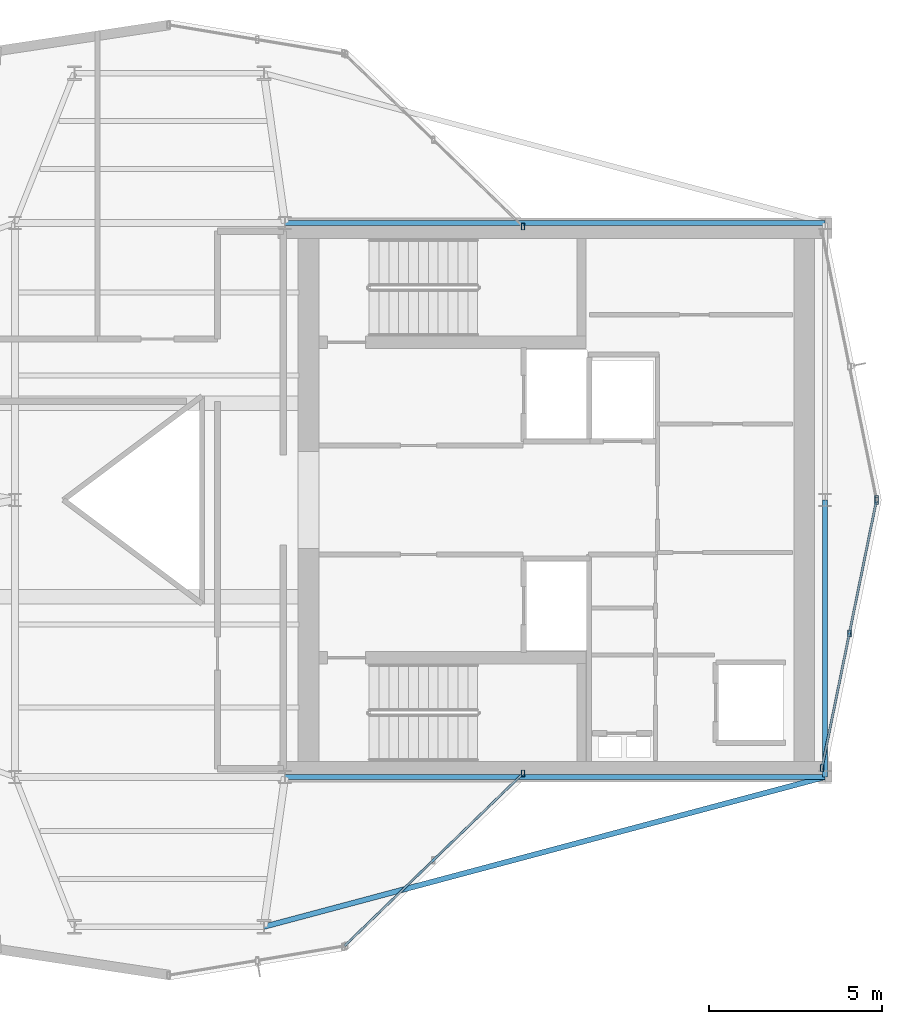
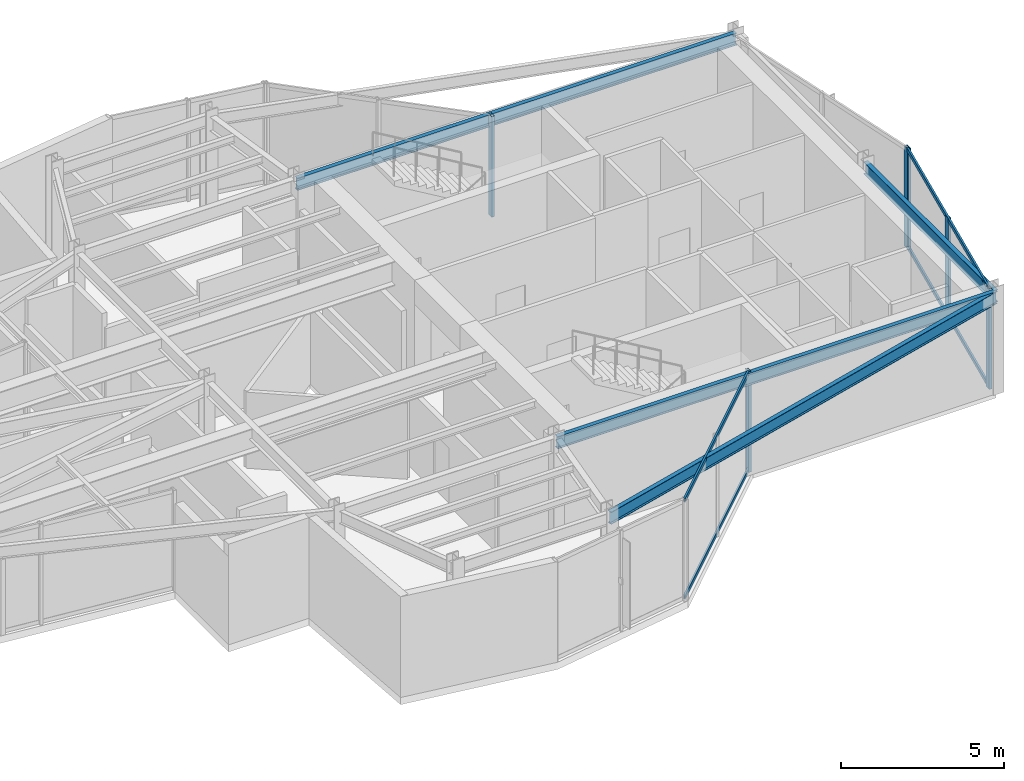
# One storey, part 8 of 16: 10 members, 4 beams, 4 elements without a shape of their own.
"""IFC4 building model written with IfcOpenShell, lengths in metres."""

from ifc_helpers import new_model, si_unit, direction, frame, origin, origin_2d, place, context, subcontext, project, spatial, hollow_rectangle, i_section, extrude, material, layer, layer_set, material_profile, profile_set, type_object, element, aggregate, save


model = new_model("IFC4")

# Units and contexts
model_context = context("Model", 3, precision=1e-05, world=origin(), true_north=direction((0.0, 1.0)))
body_context = subcontext(model_context, "Body", "Model", "MODEL_VIEW")
ifc_project = project(units=[si_unit("LENGTHUNIT", "METRE"), si_unit("AREAUNIT", "SQUARE_METRE"), si_unit("VOLUMEUNIT", "CUBIC_METRE"), si_unit("PLANEANGLEUNIT", "RADIAN"), si_unit("MASSUNIT", "GRAM", prefix="KILO")], contexts=[model_context])

# Site, building, storey
site_placement = place(None, origin())
site = spatial("IfcSite", under=ifc_project, at=site_placement, CompositionType="ELEMENT")
building_placement = place(site_placement, origin())
building = spatial("IfcBuilding", under=site, at=building_placement, Name="Veymaron Broadcast Tower", CompositionType="ELEMENT")
storey_placement = place(building_placement, frame((0.0, 0.0, 315.449951171875)))
storey = spatial("IfcBuildingStorey", under=building, at=storey_placement, Name="L74", CompositionType="ELEMENT", Elevation=315.449951171875)

# Beams
ifc_material_1 = material(Name="Structural steel ASTM A992 Gr 50", Category="steel")
ifc_material_profile_1 = material_profile(ifc_material_1, i_section(OverallWidth=0.154052734375, OverallDepth=0.458984375, WebThickness=0.009033203125, FlangeThickness=0.015380859375, at=origin_2d()), Name="W460X68")
ifc_profile_set_1 = profile_set([ifc_material_profile_1], Name="Structural steel ASTM A992 Gr 50")
beam_type = type_object("IfcBeamType", Name="BM-SP2", PredefinedType="SPANDREL", material=ifc_profile_set_1)
for number, where, z_axis, x_axis, name in (
    (1, (39.0, 16.0, 3.550537109375), (1.0, 0.0, 0.0), (0.0, 1.0, 0.0), "L74 primary structural floor girder"),
    (2, (39.0, 32.0, 3.550537109375), (1.0, 0.0, 0.0), (0.0, 1.0, 0.0), "L74 primary structural floor girder"),
):
    element("IfcBeam", number, at=place(storey_placement, frame(where, z_axis=z_axis, x_axis=x_axis)), inside=storey, type_object=beam_type, Name=name, PredefinedType="SPANDREL", context=body_context, shape_type="SweptSolid", body=[
        extrude(i_section(OverallWidth=0.154052734375, OverallDepth=0.458984375, WebThickness=0.009033203125, FlangeThickness=0.015380859375, at=origin_2d()), origin(), (0.0, 0.0, 1.0), 15.60009765625),
    ])
beam_1_placement = place(storey_placement, frame((54.60009765625, 16.0, 3.550537109375), z_axis=(0.0, 1.0, 0.0), x_axis=(-1.0, 0.0, 0.0)))
element("IfcBeam", 3, at=beam_1_placement, inside=storey, type_object=beam_type, Name="L74 primary structural floor girder", PredefinedType="SPANDREL", context=body_context, shape_type="SweptSolid", body=[
    extrude(i_section(OverallWidth=0.154052734375, OverallDepth=0.458984375, WebThickness=0.009033203125, FlangeThickness=0.015380859375, at=origin_2d()), origin(), (0.0, 0.0, 1.0), 8.0),
])
beam_2_placement = place(storey_placement, frame((54.60009765625, 16.0, 3.550537109375), z_axis=(-0.966166081306, -0.257920730718, 0.0), x_axis=(0.257920730718, -0.966166081306, 0.0)))
element("IfcBeam", 4, at=beam_2_placement, inside=storey, type_object=beam_type, Name="L74 primary structural floor girder", PredefinedType="SPANDREL", context=body_context, shape_type="SweptSolid", body=[
    extrude(i_section(OverallWidth=0.154052734375, OverallDepth=0.458984375, WebThickness=0.009033203125, FlangeThickness=0.015380859375, at=origin_2d()), origin(), (0.0, 0.0, 1.0), 16.77978515625),
])

# Curtain wall, member
ifc_material_2 = material(Name="Anodised aluminium AA 6063-T6 and laminated low-E dark glass", Category="aluminium")
ifc_layer = layer(ifc_material_2, 0.179931640625)
ifc_layer_set = layer_set([ifc_layer], Name="Anodised aluminium AA 6063-T6 and laminated low-E dark glass")
curtain_wall_type = type_object("IfcCurtainWallType", Name="CW-SYS-07", PredefinedType="NOTDEFINED", material=ifc_layer_set)
curtain_wall_1_placement = place(storey_placement, origin())
curtain_wall_1 = element("IfcCurtainWall", 5, at=curtain_wall_1_placement, inside=storey, type_object=curtain_wall_type, Name="L74 dark-glass curtain wall CW-L74-E8-1", PredefinedType="NOTDEFINED")
ifc_material_3 = material(Name="Anodised aluminium AA 6063-T6", Category="aluminium")
ifc_material_profile_2 = material_profile(ifc_material_3, hollow_rectangle(XDim=0.10009765625, YDim=0.199951171875, WallThickness=0.010009765625, at=origin_2d()), Name="RHS200X100X10")
ifc_profile_set_2 = profile_set([ifc_material_profile_2], Name="Anodised aluminium AA 6063-T6")
member_type_1 = type_object("IfcMemberType", Name="CW-MUL-01", PredefinedType="MULLION", material=ifc_profile_set_2)
member_1_placement = place(storey_placement, frame((45.874755859375, 16.1005859375, 0.0), z_axis=(0.0, 0.0, 1.0), x_axis=(1.0, 0.0, 0.0)))
member_1 = element("IfcMember", 6, at=member_1_placement, type_object=member_type_1, Name="CW-L74-E8-1 mullion 2", PredefinedType="MULLION", context=body_context, shape_type="SweptSolid", body=[
    extrude(hollow_rectangle(XDim=0.10009765625, YDim=0.199951171875, WallThickness=0.010009765625, at=origin_2d()), origin(), (0.0, 0.0, 1.0), 3.780029296875),
])

# Curtain wall, members
curtain_wall_2_placement = place(storey_placement, origin())
curtain_wall_2 = element("IfcCurtainWall", 7, at=curtain_wall_2_placement, inside=storey, type_object=curtain_wall_type, Name="L74 dark-glass curtain wall CW-L74-E10-1", PredefinedType="NOTDEFINED")
member_2_placement = place(storey_placement, frame((54.509765625, 16.2587890625, 0.0), z_axis=(0.0, 0.0, 1.0), x_axis=(1.0, 0.0, 0.0)))
member_2 = element("IfcMember", 8, at=member_2_placement, type_object=member_type_1, Name="CW-L74-E10-1 mullion 0", PredefinedType="MULLION", context=body_context, shape_type="SweptSolid", body=[
    extrude(hollow_rectangle(XDim=0.10009765625, YDim=0.199951171875, WallThickness=0.010009765625, at=origin_2d()), origin(), (0.0, 0.0, 1.0), 3.780029296875),
])
member_3_placement = place(storey_placement, frame((55.301025390625, 20.143310546875, 0.0), z_axis=(0.0, 0.0, 1.0), x_axis=(1.0, 0.0, 0.0)))
member_3 = element("IfcMember", 9, at=member_3_placement, type_object=member_type_1, Name="CW-L74-E10-1 mullion 1", PredefinedType="MULLION", context=body_context, shape_type="SweptSolid", body=[
    extrude(hollow_rectangle(XDim=0.10009765625, YDim=0.199951171875, WallThickness=0.010009765625, at=origin_2d()), origin(), (0.0, 0.0, 1.0), 3.780029296875),
])
member_4_placement = place(storey_placement, frame((56.09228515625, 24.02783203125, 0.0), z_axis=(0.0, 0.0, 1.0), x_axis=(1.0, 0.0, 0.0)))
member_4 = element("IfcMember", 10, at=member_4_placement, type_object=member_type_1, Name="CW-L74-E10-1 mullion 2", PredefinedType="MULLION", context=body_context, shape_type="SweptSolid", body=[
    extrude(hollow_rectangle(XDim=0.10009765625, YDim=0.199951171875, WallThickness=0.010009765625, at=origin_2d()), origin(), (0.0, 0.0, 1.0), 3.780029296875),
])

# Curtain wall, member
curtain_wall_3_placement = place(storey_placement, origin())
curtain_wall_3 = element("IfcCurtainWall", 11, at=curtain_wall_3_placement, inside=storey, type_object=curtain_wall_type, Name="L74 dark-glass curtain wall CW-L74-E11-1", PredefinedType="NOTDEFINED")
member_5_placement = place(storey_placement, frame((56.09228515625, 23.97216796875, 0.0), z_axis=(0.0, 0.0, 1.0), x_axis=(1.0, 0.0, 0.0)))
member_5 = element("IfcMember", 12, at=member_5_placement, type_object=member_type_1, Name="CW-L74-E11-1 mullion 0", PredefinedType="MULLION", context=body_context, shape_type="SweptSolid", body=[
    extrude(hollow_rectangle(XDim=0.10009765625, YDim=0.199951171875, WallThickness=0.010009765625, at=origin_2d()), origin(), (0.0, 0.0, 1.0), 3.780029296875),
])
aggregate(curtain_wall_3, [member_5])

curtain_wall_4_placement = place(storey_placement, origin())
curtain_wall_4 = element("IfcCurtainWall", 13, at=curtain_wall_4_placement, inside=storey, type_object=curtain_wall_type, Name="L74 dark-glass curtain wall CW-L74-E13-1", PredefinedType="NOTDEFINED")
member_6_placement = place(storey_placement, frame((45.874755859375, 31.8994140625, 0.0), z_axis=(0.0, 0.0, 1.0), x_axis=(1.0, 0.0, 0.0)))
member_6 = element("IfcMember", 14, at=member_6_placement, type_object=member_type_1, Name="CW-L74-E13-1 mullion 0", PredefinedType="MULLION", context=body_context, shape_type="SweptSolid", body=[
    extrude(hollow_rectangle(XDim=0.10009765625, YDim=0.199951171875, WallThickness=0.010009765625, at=origin_2d()), origin(), (0.0, 0.0, 1.0), 3.780029296875),
])
aggregate(curtain_wall_4, [member_6])

# Member
ifc_material_profile_3 = material_profile(ifc_material_3, hollow_rectangle(XDim=0.06494140625, YDim=0.14990234375, WallThickness=0.00390625, at=origin_2d()), Name="AL150X65X4")
ifc_profile_set_3 = profile_set([ifc_material_profile_3], Name="Anodised aluminium AA 6063-T6")
member_type_2 = type_object("IfcMemberType", Name="CW-TRN-01", PredefinedType="USERDEFINED", material=ifc_profile_set_3)
member_7_placement = place(storey_placement, frame((40.72509765625, 11.124267578125, 0.070068359375), z_axis=(0.719105025557, 0.694901404674, 0.0), x_axis=(-0.694901404674, 0.719105025557, 0.0)))
member_7 = element("IfcMember", 15, at=member_7_placement, type_object=member_type_2, Name="CW-L74-E8-1 transom B", ObjectType="TRANSOM", PredefinedType="USERDEFINED", context=body_context, shape_type="SweptSolid", body=[
    extrude(hollow_rectangle(XDim=0.06494140625, YDim=0.14990234375, WallThickness=0.00390625, at=origin_2d()), origin(), (0.0, 0.0, 1.0), 7.111328125),
])

member_8_placement = place(storey_placement, frame((40.72509765625, 11.124267578125, 3.7099609375), z_axis=(0.719105025557, 0.694901404674, 0.0), x_axis=(-0.694901404674, 0.719105025557, 0.0)))
member_8 = element("IfcMember", 16, at=member_8_placement, type_object=member_type_2, Name="CW-L74-E8-1 transom T", ObjectType="TRANSOM", PredefinedType="USERDEFINED", context=body_context, shape_type="SweptSolid", body=[
    extrude(hollow_rectangle(XDim=0.06494140625, YDim=0.14990234375, WallThickness=0.00390625, at=origin_2d()), origin(), (0.0, 0.0, 1.0), 7.111328125),
])

aggregate(curtain_wall_1, [member_1, member_7, member_8])

member_9_placement = place(storey_placement, frame((54.519775390625, 16.3076171875, 0.070068359375), z_axis=(0.1996111359, 0.97987519329, 0.0), x_axis=(-0.97987519329, 0.1996111359, 0.0)))
member_9 = element("IfcMember", 17, at=member_9_placement, type_object=member_type_2, Name="CW-L74-E10-1 transom B", ObjectType="TRANSOM", PredefinedType="USERDEFINED", context=body_context, shape_type="SweptSolid", body=[
    extrude(hollow_rectangle(XDim=0.06494140625, YDim=0.14990234375, WallThickness=0.00390625, at=origin_2d()), origin(), (0.0, 0.0, 1.0), 7.828857421875),
])

member_10_placement = place(storey_placement, frame((54.519775390625, 16.3076171875, 3.7099609375), z_axis=(0.1996111359, 0.97987519329, 0.0), x_axis=(-0.97987519329, 0.1996111359, 0.0)))
member_10 = element("IfcMember", 18, at=member_10_placement, type_object=member_type_2, Name="CW-L74-E10-1 transom T", ObjectType="TRANSOM", PredefinedType="USERDEFINED", context=body_context, shape_type="SweptSolid", body=[
    extrude(hollow_rectangle(XDim=0.06494140625, YDim=0.14990234375, WallThickness=0.00390625, at=origin_2d()), origin(), (0.0, 0.0, 1.0), 7.828857421875),
])

aggregate(curtain_wall_2, [member_2, member_3, member_4, member_9, member_10])

save(model, "model.ifc")
